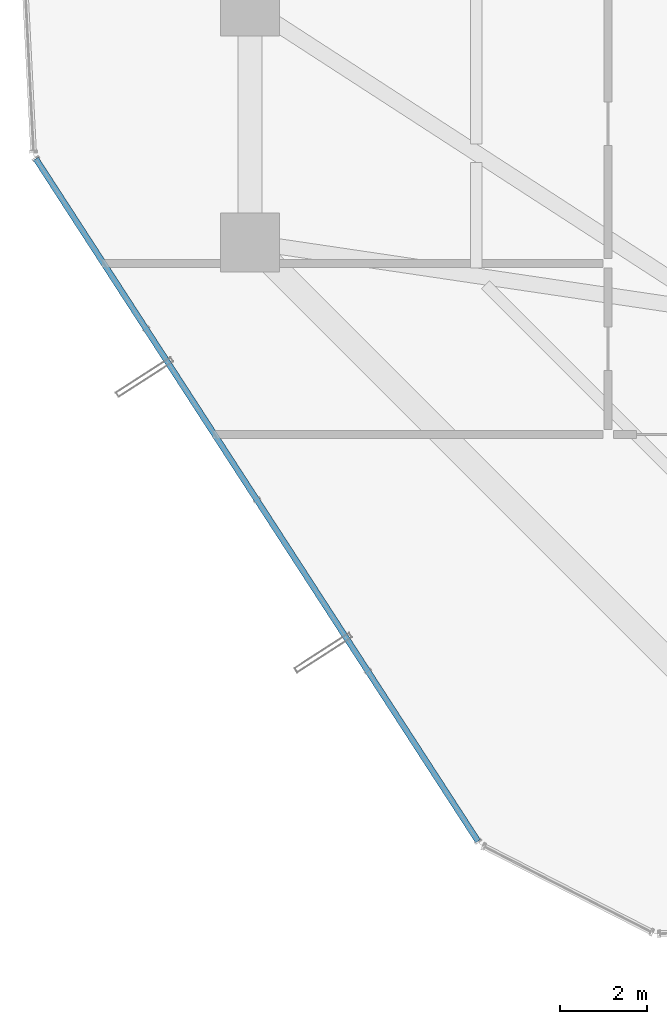
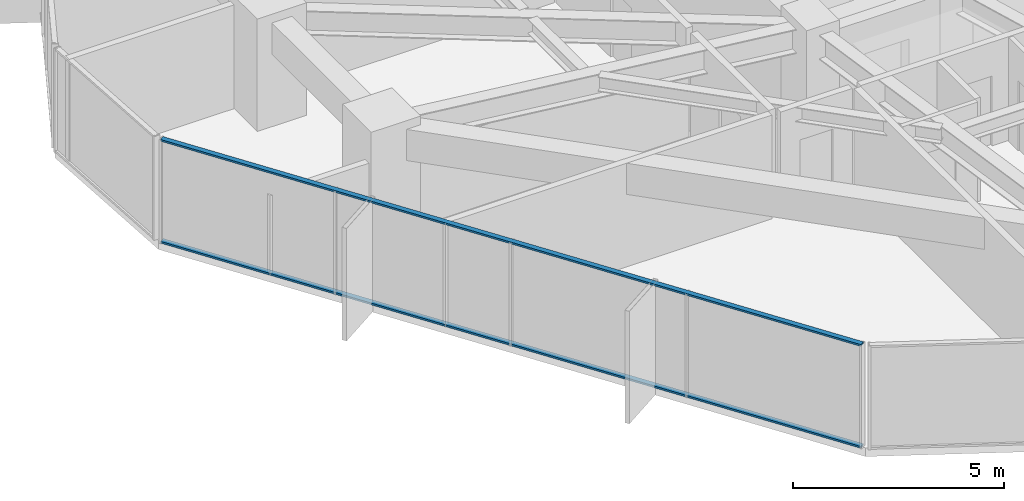
# One storey, part 3 of 37: 2 members, 1 element without a shape of its own.
"""IFC4 building model written with IfcOpenShell, lengths in metres."""

from ifc_helpers import new_model, si_unit, direction, frame, origin, origin_2d, place, context, subcontext, project, spatial, hollow_rectangle, extrude, source, transform, mapped, material, layer, layer_set, material_profile, profile_set, type_object, element, aggregate, save


model = new_model("IFC4")

# Units and contexts
model_context = context("Model", 3, precision=1e-05, world=origin(), true_north=direction((0.0, 1.0)))
body_context = subcontext(model_context, "Body", "Model", "MODEL_VIEW")
ifc_project = project(units=[si_unit("LENGTHUNIT", "METRE"), si_unit("AREAUNIT", "SQUARE_METRE"), si_unit("VOLUMEUNIT", "CUBIC_METRE"), si_unit("PLANEANGLEUNIT", "RADIAN"), si_unit("MASSUNIT", "GRAM", prefix="KILO")], contexts=[model_context])

# Site, building, storey
site_placement = place(None, origin())
site = spatial("IfcSite", under=ifc_project, at=site_placement, CompositionType="ELEMENT")
building_placement = place(site_placement, origin())
building = spatial("IfcBuilding", under=site, at=building_placement, Name="Veraguas Prism Commons", CompositionType="ELEMENT")
storey_placement = place(building_placement, frame((0.0, 0.0, 33.800048828125)))
storey = spatial("IfcBuildingStorey", under=building, at=storey_placement, Name="L08", CompositionType="ELEMENT", Elevation=33.800048828125)

# Curtain wall, members
ifc_material = material(Name="Anodised aluminium EN AW-6063 T6", Category="aluminium")
ifc_layer = layer(ifc_material, 0.169921875, Name="Unitised Flush Curtain Wall Zone 1", Category="aluminium")
ifc_layer_set = layer_set([ifc_layer], Name="Anodised aluminium EN AW-6063 T6")
curtain_wall_type = type_object("IfcCurtainWallType", Name="Unitised Flush Curtain Wall Zone 1", PredefinedType="NOTDEFINED", material=ifc_layer_set)
curtain_wall_placement = place(storey_placement, origin())
curtain_wall = element("IfcCurtainWall", 1, at=curtain_wall_placement, inside=storey, type_object=curtain_wall_type, Name="Tower Facade Curtain Wall L08-F4", PredefinedType="NOTDEFINED")
ifc_material_profile = material_profile(ifc_material, hollow_rectangle(XDim=0.054931640625, YDim=0.135009765625, WallThickness=0.0029296875, at=origin_2d()), Name="AL55X135X3")
ifc_profile_set = profile_set([ifc_material_profile], Name="Anodised aluminium EN AW-6063 T6")
member_type = type_object("IfcMemberType", Name="Curtain Wall Transom Standard AL 55x135x3", PredefinedType="USERDEFINED", material=ifc_profile_set)
shared_shape = source(origin(), body_context, "Body", "SweptSolid", [
    extrude(hollow_rectangle(XDim=0.054931640625, YDim=0.135009765625, WallThickness=0.0029296875, at=origin_2d()), origin(), (0.0, 0.0, 1.0), 18.623779296875),
])
member_1_placement = place(storey_placement, frame((1.4931640625, 20.512939453125, 0.02734375), z_axis=(0.543768091879, -0.839235522517, 0.0), x_axis=(0.0, 0.0, 1.0)))
member_1 = element("IfcMember", 2, at=member_1_placement, type_object=member_type, Name="CW-Z1 Transom 1", ObjectType="TRANSOM", PredefinedType="USERDEFINED", context=body_context, shape_type="MappedRepresentation", body=[
    mapped(shared_shape, transform((0.0, 0.0, 0.0), scale=1.0)),
])
member_2_placement = place(storey_placement, frame((1.4931640625, 20.512939453125, 2.972412109375), z_axis=(0.543768091879, -0.839235522517, 0.0), x_axis=(0.0, 0.0, 1.0)))
member_2 = element("IfcMember", 3, at=member_2_placement, type_object=member_type, Name="CW-Z1 Transom 2", ObjectType="TRANSOM", PredefinedType="USERDEFINED", context=body_context, shape_type="MappedRepresentation", body=[
    mapped(shared_shape, transform((0.0, 0.0, 0.0), scale=1.0)),
])
aggregate(curtain_wall, [member_1, member_2])

save(model, "model.ifc")
